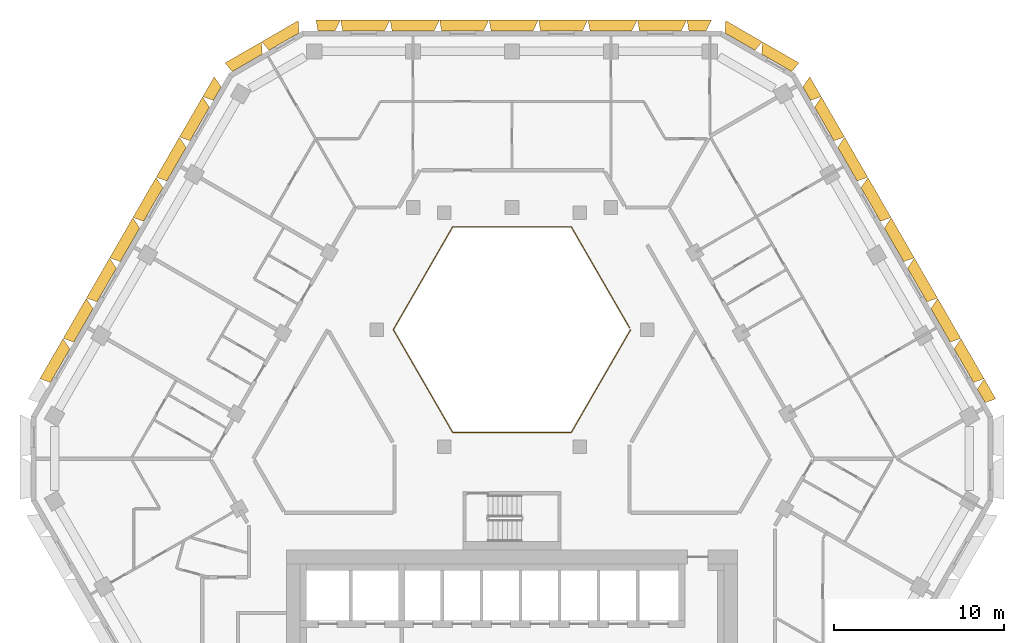
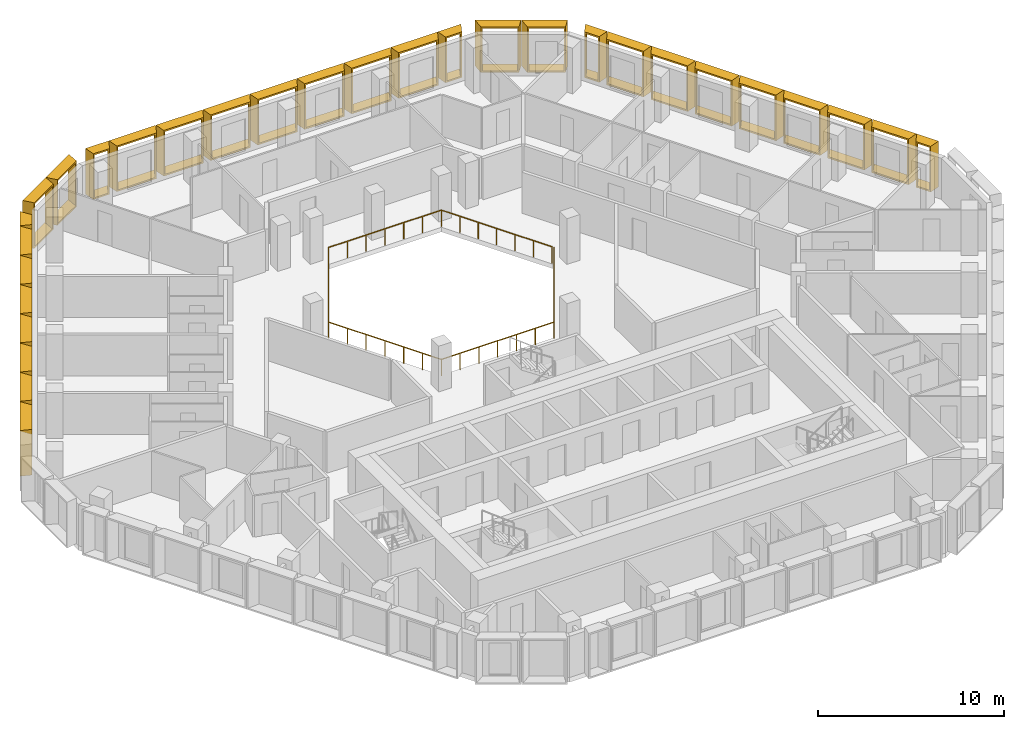
# One storey, part 15 of 15: 30 shading devices, 1 railing.
"""IFC4 building model written with IfcOpenShell, lengths in metres."""

from ifc_helpers import new_model, entity, si_unit, direction, frame, origin, origin_2d, place, context, subcontext, project, spatial, rectangle, extrude, source, transform, mapped, material, type_object, type_shapes, element, save


model = new_model("IFC4")

# Units and contexts
model_context = context("Model", 3, precision=1e-05, world=origin(), true_north=direction((0.0, 1.0)))
body_context = subcontext(model_context, "Body", "Model", "MODEL_VIEW")
ifc_project = project(units=[si_unit("LENGTHUNIT", "METRE"), si_unit("AREAUNIT", "SQUARE_METRE"), si_unit("VOLUMEUNIT", "CUBIC_METRE"), si_unit("PLANEANGLEUNIT", "RADIAN"), si_unit("MASSUNIT", "GRAM", prefix="KILO")], contexts=[model_context])

# Site, building, storey
site_placement = place(None, origin())
site = spatial("IfcSite", under=ifc_project, at=site_placement, CompositionType="ELEMENT")
building_placement = place(site_placement, origin())
building = spatial("IfcBuilding", under=site, at=building_placement, Name="Beryl Residences", CompositionType="ELEMENT")
storey_placement = place(building_placement, frame((0.0, 0.0, 147.60009765625)))
storey = spatial("IfcBuildingStorey", under=building, at=storey_placement, Name="L45", CompositionType="ELEMENT", Elevation=147.60009765625)

# Railing
ifc_material_1 = material(Name="Stainless steel balustrade with glass infill", Category="steel")
railing_type = type_object("IfcRailingType", Name="EG1 edge guard 1100 mm", PredefinedType="GUARDRAIL", material=ifc_material_1)
railing_placement = place(storey_placement, frame((6.9970703125, 8.0, 0.0)))
element("IfcRailing", 1, at=railing_placement, inside=storey, type_object=railing_type, Name="L45 atrium guard", PredefinedType="GUARDRAIL", context=body_context, shape_type="SweptSolid", body=[
    extrude(rectangle(XDim=0.048095703125, YDim=0.048095703125, at=origin_2d()), frame((0.0, 0.0, 1.076171875), z_axis=(-0.499921796684, -0.866070549782, 0.0), x_axis=(0.866070549782, -0.499921796684, 0.0)), (0.0, 0.0, 1.0), 6.9970703125),
    extrude(rectangle(XDim=0.048095703125, YDim=0.048095703125, at=origin_2d()), frame((-3.498046875, -6.06005859375, 1.076171875), z_axis=(-1.0, 0.0, 0.0), x_axis=(0.0, -1.0, 0.0)), (0.0, 0.0, 1.0), 6.998046875),
    extrude(rectangle(XDim=0.048095703125, YDim=0.048095703125, at=origin_2d()), frame((-10.49609375, -6.06005859375, 1.076171875), z_axis=(-0.499921796684, 0.866070549782, 0.0), x_axis=(-0.866070549782, -0.499921796684, 0.0)), (0.0, 0.0, 1.0), 6.9970703125),
    extrude(rectangle(XDim=0.048095703125, YDim=0.048095703125, at=origin_2d()), frame((-13.994140625, 0.0, 1.076171875), z_axis=(0.499921796684, 0.866070549782, 0.0), x_axis=(-0.866070549782, 0.499921796684, 0.0)), (0.0, 0.0, 1.0), 6.9970703125),
    extrude(rectangle(XDim=0.048095703125, YDim=0.048095703125, at=origin_2d()), frame((-10.49609375, 6.06005859375, 1.076171875), z_axis=(1.0, 0.0, 0.0), x_axis=(0.0, 1.0, 0.0)), (0.0, 0.0, 1.0), 6.998046875),
    extrude(rectangle(XDim=0.048095703125, YDim=0.048095703125, at=origin_2d()), frame((-3.498046875, 6.06005859375, 1.076171875), z_axis=(0.499919131929, -0.866072087953, 0.0), x_axis=(0.866072087953, 0.499919131929, 0.0)), (0.0, 0.0, 1.0), 6.877197265625),
    extrude(rectangle(XDim=0.0419921875, YDim=0.0419921875, at=origin_2d()), origin(), (0.0, 0.0, 1.0), 1.052001953125),
    extrude(rectangle(XDim=0.0419921875, YDim=0.0419921875, at=origin_2d()), frame((-0.5830078125, -1.010009765625, 0.0)), (0.0, 0.0, 1.0), 1.052001953125),
    extrude(rectangle(XDim=0.0419921875, YDim=0.0419921875, at=origin_2d()), frame((-1.166015625, -2.02001953125, 0.0)), (0.0, 0.0, 1.0), 1.052001953125),
    extrude(rectangle(XDim=0.0419921875, YDim=0.0419921875, at=origin_2d()), frame((-1.7490234375, -3.030029296875, 0.0)), (0.0, 0.0, 1.0), 1.052001953125),
    extrude(rectangle(XDim=0.0419921875, YDim=0.0419921875, at=origin_2d()), frame((-2.33203125, -4.0400390625, 0.0)), (0.0, 0.0, 1.0), 1.052001953125),
    extrude(rectangle(XDim=0.0419921875, YDim=0.0419921875, at=origin_2d()), frame((-2.9150390625, -5.050048828125, 0.0)), (0.0, 0.0, 1.0), 1.052001953125),
    extrude(rectangle(XDim=0.0419921875, YDim=0.0419921875, at=origin_2d()), frame((-3.498046875, -6.06005859375, 0.0)), (0.0, 0.0, 1.0), 1.052001953125),
    extrude(rectangle(XDim=0.0419921875, YDim=0.0419921875, at=origin_2d()), frame((-4.664306640625, -6.06005859375, 0.0)), (0.0, 0.0, 1.0), 1.052001953125),
    extrude(rectangle(XDim=0.0419921875, YDim=0.0419921875, at=origin_2d()), frame((-5.830810546875, -6.06005859375, 0.0)), (0.0, 0.0, 1.0), 1.052001953125),
    extrude(rectangle(XDim=0.0419921875, YDim=0.0419921875, at=origin_2d()), frame((-6.9970703125, -6.06005859375, 0.0)), (0.0, 0.0, 1.0), 1.052001953125),
    extrude(rectangle(XDim=0.0419921875, YDim=0.0419921875, at=origin_2d()), frame((-8.163330078125, -6.06005859375, 0.0)), (0.0, 0.0, 1.0), 1.052001953125),
    extrude(rectangle(XDim=0.0419921875, YDim=0.0419921875, at=origin_2d()), frame((-9.329833984375, -6.06005859375, 0.0)), (0.0, 0.0, 1.0), 1.052001953125),
    extrude(rectangle(XDim=0.0419921875, YDim=0.0419921875, at=origin_2d()), frame((-10.49609375, -6.06005859375, 0.0)), (0.0, 0.0, 1.0), 1.052001953125),
    extrude(rectangle(XDim=0.0419921875, YDim=0.0419921875, at=origin_2d()), frame((-11.0791015625, -5.050048828125, 0.0)), (0.0, 0.0, 1.0), 1.052001953125),
    extrude(rectangle(XDim=0.0419921875, YDim=0.0419921875, at=origin_2d()), frame((-11.662109375, -4.0400390625, 0.0)), (0.0, 0.0, 1.0), 1.052001953125),
    extrude(rectangle(XDim=0.0419921875, YDim=0.0419921875, at=origin_2d()), frame((-12.2451171875, -3.030029296875, 0.0)), (0.0, 0.0, 1.0), 1.052001953125),
    extrude(rectangle(XDim=0.0419921875, YDim=0.0419921875, at=origin_2d()), frame((-12.828125, -2.02001953125, 0.0)), (0.0, 0.0, 1.0), 1.052001953125),
    extrude(rectangle(XDim=0.0419921875, YDim=0.0419921875, at=origin_2d()), frame((-13.4111328125, -1.010009765625, 0.0)), (0.0, 0.0, 1.0), 1.052001953125),
    extrude(rectangle(XDim=0.0419921875, YDim=0.0419921875, at=origin_2d()), frame((-13.994140625, 0.0, 0.0)), (0.0, 0.0, 1.0), 1.052001953125),
    extrude(rectangle(XDim=0.0419921875, YDim=0.0419921875, at=origin_2d()), frame((-13.4111328125, 1.010009765625, 0.0)), (0.0, 0.0, 1.0), 1.052001953125),
    extrude(rectangle(XDim=0.0419921875, YDim=0.0419921875, at=origin_2d()), frame((-12.828125, 2.02001953125, 0.0)), (0.0, 0.0, 1.0), 1.052001953125),
    extrude(rectangle(XDim=0.0419921875, YDim=0.0419921875, at=origin_2d()), frame((-12.2451171875, 3.030029296875, 0.0)), (0.0, 0.0, 1.0), 1.052001953125),
    extrude(rectangle(XDim=0.0419921875, YDim=0.0419921875, at=origin_2d()), frame((-11.662109375, 4.0400390625, 0.0)), (0.0, 0.0, 1.0), 1.052001953125),
    extrude(rectangle(XDim=0.0419921875, YDim=0.0419921875, at=origin_2d()), frame((-11.0791015625, 5.050048828125, 0.0)), (0.0, 0.0, 1.0), 1.052001953125),
    extrude(rectangle(XDim=0.0419921875, YDim=0.0419921875, at=origin_2d()), frame((-10.49609375, 6.06005859375, 0.0)), (0.0, 0.0, 1.0), 1.052001953125),
    extrude(rectangle(XDim=0.0419921875, YDim=0.0419921875, at=origin_2d()), frame((-9.329833984375, 6.06005859375, 0.0)), (0.0, 0.0, 1.0), 1.052001953125),
    extrude(rectangle(XDim=0.0419921875, YDim=0.0419921875, at=origin_2d()), frame((-8.163330078125, 6.06005859375, 0.0)), (0.0, 0.0, 1.0), 1.052001953125),
    extrude(rectangle(XDim=0.0419921875, YDim=0.0419921875, at=origin_2d()), frame((-6.9970703125, 6.06005859375, 0.0)), (0.0, 0.0, 1.0), 1.052001953125),
    extrude(rectangle(XDim=0.0419921875, YDim=0.0419921875, at=origin_2d()), frame((-5.830810546875, 6.06005859375, 0.0)), (0.0, 0.0, 1.0), 1.052001953125),
    extrude(rectangle(XDim=0.0419921875, YDim=0.0419921875, at=origin_2d()), frame((-4.664306640625, 6.06005859375, 0.0)), (0.0, 0.0, 1.0), 1.052001953125),
    extrude(rectangle(XDim=0.0419921875, YDim=0.0419921875, at=origin_2d()), frame((-3.498046875, 6.06005859375, 0.0)), (0.0, 0.0, 1.0), 1.052001953125),
    extrude(rectangle(XDim=0.0419921875, YDim=0.0419921875, at=origin_2d()), frame((-2.925048828125, 5.0673828125, 0.0)), (0.0, 0.0, 1.0), 1.052001953125),
    extrude(rectangle(XDim=0.0419921875, YDim=0.0419921875, at=origin_2d()), frame((-2.35205078125, 4.07470703125, 0.0)), (0.0, 0.0, 1.0), 1.052001953125),
    extrude(rectangle(XDim=0.0419921875, YDim=0.0419921875, at=origin_2d()), frame((-1.779052734375, 3.08203125, 0.0)), (0.0, 0.0, 1.0), 1.052001953125),
    extrude(rectangle(XDim=0.0419921875, YDim=0.0419921875, at=origin_2d()), frame((-1.2060546875, 2.08935546875, 0.0)), (0.0, 0.0, 1.0), 1.052001953125),
    extrude(rectangle(XDim=0.0419921875, YDim=0.0419921875, at=origin_2d()), frame((-0.633056640625, 1.0966796875, 0.0)), (0.0, 0.0, 1.0), 1.052001953125),
    extrude(rectangle(XDim=0.0419921875, YDim=0.0419921875, at=origin_2d()), frame((-0.06005859375, 0.10400390625, 0.0)), (0.0, 0.0, 1.0), 1.052001953125),
])

# Shading devices
ifc_material_2 = material(Name="Aluminium pale anodised", Category="aluminium")
shading_device_type_1 = type_object("IfcShadingDeviceType", Name="FR137-65B OUTER SKIN frame 650 mm deep, splay 26/10 deg, 1370 x 3000 mm cell", PredefinedType="USERDEFINED", material=ifc_material_2)
cartesian_point_1 = entity("IfcCartesianPoint", [-0.458984375, 0.0])
cartesian_point_2 = entity("IfcCartesianPoint", [-0.369873046875, 0.10009765625])
cartesian_point_3 = entity("IfcCartesianPoint", [-0.776123046875, 0.0])
cartesian_point_4 = entity("IfcCartesianPoint", [-0.68701171875, 0.10009765625])
shared_shape_1 = source(origin(), body_context, "Body", "SweptSolid", [
    entity("IfcExtrudedAreaSolidTapered", entity("IfcArbitraryProfileDefWithVoids", "AREA", None, entity("IfcPolyline", [cartesian_point_1, entity("IfcCartesianPoint", [0.458984375, 0.0]), entity("IfcCartesianPoint", [0.458984375, 3.0]), entity("IfcCartesianPoint", [-0.458984375, 3.0]), cartesian_point_1]), [entity("IfcPolyline", [cartesian_point_2, entity("IfcCartesianPoint", [0.377685546875, 0.10009765625]), entity("IfcCartesianPoint", [0.377685546875, 2.89990234375]), entity("IfcCartesianPoint", [-0.369873046875, 2.89990234375]), cartesian_point_2])]), entity("IfcAxis2Placement3D", entity("IfcCartesianPoint", [0.0, 0.0, 0.0]), entity("IfcDirection", [0.0, 1.0, 0.0]), entity("IfcDirection", [-1.0, 0.0, 0.0])), entity("IfcDirection", [0.0, 0.0, 1.0]), 0.64990234375, entity("IfcArbitraryProfileDefWithVoids", "AREA", None, entity("IfcPolyline", [cartesian_point_3, entity("IfcCartesianPoint", [0.57373046875, 0.0]), entity("IfcCartesianPoint", [0.57373046875, 3.0]), entity("IfcCartesianPoint", [-0.776123046875, 3.0]), cartesian_point_3]), [entity("IfcPolyline", [cartesian_point_4, entity("IfcCartesianPoint", [0.492431640625, 0.10009765625]), entity("IfcCartesianPoint", [0.492431640625, 2.89990234375]), entity("IfcCartesianPoint", [-0.68701171875, 2.89990234375]), cartesian_point_4])])),
])
type_shapes(shading_device_type_1, [shared_shape_1])
shading_device_placement = place(storey_placement, frame((-17.375, 21.906982421875, 0.0), z_axis=(0.0, 0.0, 1.0), x_axis=(0.5, 0.866025403784, 0.0)))
element("IfcShadingDevice", 2, at=shading_device_placement, inside=storey, type_object=shading_device_type_1, Name="FR137-65B frame L45 NW 1", ObjectType="OUTER SKIN", PredefinedType="USERDEFINED", context=body_context, shape_type="MappedRepresentation", body=[
    mapped(shared_shape_1, transform((0.0, 0.0, 0.0))),
])
ifc_material_3 = material(Name="Aluminium pale anodised", Category="aluminium")
shading_device_type_2 = type_object("IfcShadingDeviceType", Name="FR137-65C OUTER SKIN frame 650 mm deep, splay 10/26 deg, 1370 x 3000 mm cell", PredefinedType="USERDEFINED", material=ifc_material_3)
cartesian_point_5 = entity("IfcCartesianPoint", [-0.458984375, 0.0])
cartesian_point_6 = entity("IfcCartesianPoint", [-0.377685546875, 0.10009765625])
cartesian_point_7 = entity("IfcCartesianPoint", [-0.57373046875, 0.0])
cartesian_point_8 = entity("IfcCartesianPoint", [-0.492431640625, 0.10009765625])
shared_shape_2 = source(origin(), body_context, "Body", "SweptSolid", [
    entity("IfcExtrudedAreaSolidTapered", entity("IfcArbitraryProfileDefWithVoids", "AREA", None, entity("IfcPolyline", [cartesian_point_5, entity("IfcCartesianPoint", [0.458984375, 0.0]), entity("IfcCartesianPoint", [0.458984375, 3.0]), entity("IfcCartesianPoint", [-0.458984375, 3.0]), cartesian_point_5]), [entity("IfcPolyline", [cartesian_point_6, entity("IfcCartesianPoint", [0.369873046875, 0.10009765625]), entity("IfcCartesianPoint", [0.369873046875, 2.89990234375]), entity("IfcCartesianPoint", [-0.377685546875, 2.89990234375]), cartesian_point_6])]), entity("IfcAxis2Placement3D", entity("IfcCartesianPoint", [0.0, 0.0, 0.0]), entity("IfcDirection", [0.0, 1.0, 0.0]), entity("IfcDirection", [-1.0, 0.0, 0.0])), entity("IfcDirection", [0.0, 0.0, 1.0]), 0.64990234375, entity("IfcArbitraryProfileDefWithVoids", "AREA", None, entity("IfcPolyline", [cartesian_point_7, entity("IfcCartesianPoint", [0.776123046875, 0.0]), entity("IfcCartesianPoint", [0.776123046875, 3.0]), entity("IfcCartesianPoint", [-0.57373046875, 3.0]), cartesian_point_7]), [entity("IfcPolyline", [cartesian_point_8, entity("IfcCartesianPoint", [0.68701171875, 0.10009765625]), entity("IfcCartesianPoint", [0.68701171875, 2.89990234375]), entity("IfcCartesianPoint", [-0.492431640625, 2.89990234375]), cartesian_point_8])])),
])
type_shapes(shading_device_type_2, [shared_shape_2])
for number, where, z_axis, x_axis, name in (
    (3, (27.658935546875, 4.093017578125, 0.0), (0.0, 0.0, 1.0), (0.5, -0.866025403784, 0.0), "FR137-65C frame L45 NE 1"),
    (4, (17.375, 21.906982421875, 0.0), (0.0, 0.0, 1.0), (0.5, -0.866025403784, 0.0), "FR137-65C frame L45 NE 9"),
):
    element("IfcShadingDevice", number, at=place(storey_placement, frame(where, z_axis=z_axis, x_axis=x_axis)), inside=storey, type_object=shading_device_type_2, Name=name, ObjectType="OUTER SKIN", PredefinedType="USERDEFINED", context=body_context, shape_type="MappedRepresentation", body=[
        mapped(shared_shape_2, transform((0.0, 0.0, 0.0))),
    ])
ifc_material_4 = material(Name="Aluminium pale anodised", Category="aluminium")
shading_device_type_3 = type_object("IfcShadingDeviceType", Name="FR146-65B OUTER SKIN frame 650 mm deep, splay 26/10 deg, 1460 x 3000 mm cell", PredefinedType="USERDEFINED", material=ifc_material_4)
cartesian_point_9 = entity("IfcCartesianPoint", [-0.50390625, 0.0])
cartesian_point_10 = entity("IfcCartesianPoint", [-0.4150390625, 0.10009765625])
cartesian_point_11 = entity("IfcCartesianPoint", [-0.821044921875, 0.0])
cartesian_point_12 = entity("IfcCartesianPoint", [-0.73193359375, 0.10009765625])
shared_shape_3 = source(origin(), body_context, "Body", "SweptSolid", [
    entity("IfcExtrudedAreaSolidTapered", entity("IfcArbitraryProfileDefWithVoids", "AREA", None, entity("IfcPolyline", [cartesian_point_9, entity("IfcCartesianPoint", [0.50390625, 0.0]), entity("IfcCartesianPoint", [0.50390625, 3.0]), entity("IfcCartesianPoint", [-0.50390625, 3.0]), cartesian_point_9]), [entity("IfcPolyline", [cartesian_point_10, entity("IfcCartesianPoint", [0.4228515625, 0.10009765625]), entity("IfcCartesianPoint", [0.4228515625, 2.89990234375]), entity("IfcCartesianPoint", [-0.4150390625, 2.89990234375]), cartesian_point_10])]), entity("IfcAxis2Placement3D", entity("IfcCartesianPoint", [0.0, 0.0, 0.0]), entity("IfcDirection", [0.0, 1.0, 0.0]), entity("IfcDirection", [-1.0, 0.0, 0.0])), entity("IfcDirection", [0.0, 0.0, 1.0]), 0.64990234375, entity("IfcArbitraryProfileDefWithVoids", "AREA", None, entity("IfcPolyline", [cartesian_point_11, entity("IfcCartesianPoint", [0.61865234375, 0.0]), entity("IfcCartesianPoint", [0.61865234375, 3.0]), entity("IfcCartesianPoint", [-0.821044921875, 3.0]), cartesian_point_11]), [entity("IfcPolyline", [cartesian_point_12, entity("IfcCartesianPoint", [0.537353515625, 0.10009765625]), entity("IfcCartesianPoint", [0.537353515625, 2.89990234375]), entity("IfcCartesianPoint", [-0.73193359375, 2.89990234375]), cartesian_point_12])])),
])
type_shapes(shading_device_type_3, [shared_shape_3])
for number, where, z_axis, x_axis, name in (
    (5, (10.93310546875, 25.60009765625, 0.0), (0.0, 0.0, 1.0), (1.0, 0.0, 0.0), "FR146-65B frame L45 N 1"),
    (6, (-10.93310546875, 25.60009765625, 0.0), (0.0, 0.0, 1.0), (1.0, 0.0, 0.0), "FR146-65B frame L45 N 9"),
):
    element("IfcShadingDevice", number, at=place(storey_placement, frame(where, z_axis=z_axis, x_axis=x_axis)), inside=storey, type_object=shading_device_type_3, Name=name, ObjectType="OUTER SKIN", PredefinedType="USERDEFINED", context=body_context, shape_type="MappedRepresentation", body=[
        mapped(shared_shape_3, transform((0.0, 0.0, 0.0))),
    ])
ifc_material_5 = material(Name="Aluminium pale anodised", Category="aluminium")
shading_device_type_4 = type_object("IfcShadingDeviceType", Name="FR250-65B OUTER SKIN frame 650 mm deep, splay 26/10 deg, 2500 x 3000 mm cell", PredefinedType="USERDEFINED", material=ifc_material_5)
cartesian_point_13 = entity("IfcCartesianPoint", [-1.02392578125, 0.0])
cartesian_point_14 = entity("IfcCartesianPoint", [-0.93505859375, 0.10009765625])
cartesian_point_15 = entity("IfcCartesianPoint", [-1.341064453125, 0.0])
cartesian_point_16 = entity("IfcCartesianPoint", [-1.251953125, 0.10009765625])
shared_shape_4 = source(origin(), body_context, "Body", "SweptSolid", [
    entity("IfcExtrudedAreaSolidTapered", entity("IfcArbitraryProfileDefWithVoids", "AREA", None, entity("IfcPolyline", [cartesian_point_13, entity("IfcCartesianPoint", [1.02392578125, 0.0]), entity("IfcCartesianPoint", [1.02392578125, 3.0]), entity("IfcCartesianPoint", [-1.02392578125, 3.0]), cartesian_point_13]), [entity("IfcPolyline", [cartesian_point_14, entity("IfcCartesianPoint", [0.94287109375, 0.10009765625]), entity("IfcCartesianPoint", [0.94287109375, 2.89990234375]), entity("IfcCartesianPoint", [-0.93505859375, 2.89990234375]), cartesian_point_14])]), entity("IfcAxis2Placement3D", entity("IfcCartesianPoint", [0.0, 0.0, 0.0]), entity("IfcDirection", [0.0, 1.0, 0.0]), entity("IfcDirection", [-1.0, 0.0, 0.0])), entity("IfcDirection", [0.0, 0.0, 1.0]), 0.64990234375, entity("IfcArbitraryProfileDefWithVoids", "AREA", None, entity("IfcPolyline", [cartesian_point_15, entity("IfcCartesianPoint", [1.138671875, 0.0]), entity("IfcCartesianPoint", [1.138671875, 3.0]), entity("IfcCartesianPoint", [-1.341064453125, 3.0]), cartesian_point_15]), [entity("IfcPolyline", [cartesian_point_16, entity("IfcCartesianPoint", [1.057373046875, 0.10009765625]), entity("IfcCartesianPoint", [1.057373046875, 2.89990234375]), entity("IfcCartesianPoint", [-1.251953125, 2.89990234375]), cartesian_point_16])])),
])
type_shapes(shading_device_type_4, [shared_shape_4])
for number, where, z_axis, x_axis, name in (
    (7, (-13.43798828125, 24.97509765625, 0.0), (0.0, 0.0, 1.0), (0.866025403784, 0.5, 0.0), "FR250-65B frame L45 N-NW 1"),
    (8, (-15.60205078125, 23.72509765625, 0.0), (0.0, 0.0, 1.0), (0.866025403784, 0.5, 0.0), "FR250-65B frame L45 N-NW 2"),
):
    element("IfcShadingDevice", number, at=place(storey_placement, frame(where, z_axis=z_axis, x_axis=x_axis)), inside=storey, type_object=shading_device_type_4, Name=name, ObjectType="OUTER SKIN", PredefinedType="USERDEFINED", context=body_context, shape_type="MappedRepresentation", body=[
        mapped(shared_shape_4, transform((0.0, 0.0, 0.0))),
    ])
ifc_material_6 = material(Name="Aluminium pale anodised", Category="aluminium")
shading_device_type_5 = type_object("IfcShadingDeviceType", Name="FR250-65C OUTER SKIN frame 650 mm deep, splay 10/26 deg, 2500 x 3000 mm cell", PredefinedType="USERDEFINED", material=ifc_material_6)
cartesian_point_17 = entity("IfcCartesianPoint", [-1.02392578125, 0.0])
cartesian_point_18 = entity("IfcCartesianPoint", [-0.94287109375, 0.10009765625])
cartesian_point_19 = entity("IfcCartesianPoint", [-1.138671875, 0.0])
cartesian_point_20 = entity("IfcCartesianPoint", [-1.057373046875, 0.10009765625])
shared_shape_5 = source(origin(), body_context, "Body", "SweptSolid", [
    entity("IfcExtrudedAreaSolidTapered", entity("IfcArbitraryProfileDefWithVoids", "AREA", None, entity("IfcPolyline", [cartesian_point_17, entity("IfcCartesianPoint", [1.02392578125, 0.0]), entity("IfcCartesianPoint", [1.02392578125, 3.0]), entity("IfcCartesianPoint", [-1.02392578125, 3.0]), cartesian_point_17]), [entity("IfcPolyline", [cartesian_point_18, entity("IfcCartesianPoint", [0.93505859375, 0.10009765625]), entity("IfcCartesianPoint", [0.93505859375, 2.89990234375]), entity("IfcCartesianPoint", [-0.94287109375, 2.89990234375]), cartesian_point_18])]), entity("IfcAxis2Placement3D", entity("IfcCartesianPoint", [0.0, 0.0, 0.0]), entity("IfcDirection", [0.0, 1.0, 0.0]), entity("IfcDirection", [-1.0, 0.0, 0.0])), entity("IfcDirection", [0.0, 0.0, 1.0]), 0.64990234375, entity("IfcArbitraryProfileDefWithVoids", "AREA", None, entity("IfcPolyline", [cartesian_point_19, entity("IfcCartesianPoint", [1.341064453125, 0.0]), entity("IfcCartesianPoint", [1.341064453125, 3.0]), entity("IfcCartesianPoint", [-1.138671875, 3.0]), cartesian_point_19]), [entity("IfcPolyline", [cartesian_point_20, entity("IfcCartesianPoint", [1.251953125, 0.10009765625]), entity("IfcCartesianPoint", [1.251953125, 2.89990234375]), entity("IfcCartesianPoint", [-1.057373046875, 2.89990234375]), cartesian_point_20])])),
])
type_shapes(shading_device_type_5, [shared_shape_5])
for number, where, z_axis, x_axis, name in (
    (9, (15.60205078125, 23.72509765625, 0.0), (0.0, 0.0, 1.0), (0.866025403784, -0.5, 0.0), "FR250-65C frame L45 NE-N 1"),
    (10, (13.43798828125, 24.97509765625, 0.0), (0.0, 0.0, 1.0), (0.866025403784, -0.5, 0.0), "FR250-65C frame L45 NE-N 2"),
):
    element("IfcShadingDevice", number, at=place(storey_placement, frame(where, z_axis=z_axis, x_axis=x_axis)), inside=storey, type_object=shading_device_type_5, Name=name, ObjectType="OUTER SKIN", PredefinedType="USERDEFINED", context=body_context, shape_type="MappedRepresentation", body=[
        mapped(shared_shape_5, transform((0.0, 0.0, 0.0))),
    ])
ifc_material_7 = material(Name="Aluminium pale anodised", Category="aluminium")
shading_device_type_6 = type_object("IfcShadingDeviceType", Name="FR274-65B OUTER SKIN frame 650 mm deep, splay 26/10 deg, 2740 x 3000 mm cell", PredefinedType="USERDEFINED", material=ifc_material_7)
cartesian_point_21 = entity("IfcCartesianPoint", [-1.14404296875, 0.0])
cartesian_point_22 = entity("IfcCartesianPoint", [-1.054931640625, 0.10009765625])
cartesian_point_23 = entity("IfcCartesianPoint", [-1.4609375, 0.0])
cartesian_point_24 = entity("IfcCartesianPoint", [-1.3720703125, 0.10009765625])
shared_shape_6 = source(origin(), body_context, "Body", "SweptSolid", [
    entity("IfcExtrudedAreaSolidTapered", entity("IfcArbitraryProfileDefWithVoids", "AREA", None, entity("IfcPolyline", [cartesian_point_21, entity("IfcCartesianPoint", [1.14404296875, 0.0]), entity("IfcCartesianPoint", [1.14404296875, 3.0]), entity("IfcCartesianPoint", [-1.14404296875, 3.0]), cartesian_point_21]), [entity("IfcPolyline", [cartesian_point_22, entity("IfcCartesianPoint", [1.062744140625, 0.10009765625]), entity("IfcCartesianPoint", [1.062744140625, 2.89990234375]), entity("IfcCartesianPoint", [-1.054931640625, 2.89990234375]), cartesian_point_22])]), entity("IfcAxis2Placement3D", entity("IfcCartesianPoint", [0.0, 0.0, 0.0]), entity("IfcDirection", [0.0, 1.0, 0.0]), entity("IfcDirection", [-1.0, 0.0, 0.0])), entity("IfcDirection", [0.0, 0.0, 1.0]), 0.64990234375, entity("IfcArbitraryProfileDefWithVoids", "AREA", None, entity("IfcPolyline", [cartesian_point_23, entity("IfcCartesianPoint", [1.258544921875, 0.0]), entity("IfcCartesianPoint", [1.258544921875, 3.0]), entity("IfcCartesianPoint", [-1.4609375, 3.0]), cartesian_point_23]), [entity("IfcPolyline", [cartesian_point_24, entity("IfcCartesianPoint", [1.177490234375, 0.10009765625]), entity("IfcCartesianPoint", [1.177490234375, 2.89990234375]), entity("IfcCartesianPoint", [-1.3720703125, 2.89990234375]), cartesian_point_24])])),
])
type_shapes(shading_device_type_6, [shared_shape_6])
for number, where, z_axis, x_axis, name in (
    (11, (-18.403076171875, 20.125, 0.0), (0.0, 0.0, 1.0), (0.5, 0.866025403784, 0.0), "FR274-65B frame L45 NW 2"),
    (12, (-19.77490234375, 17.75, 0.0), (0.0, 0.0, 1.0), (0.5, 0.866025403784, 0.0), "FR274-65B frame L45 NW 3"),
    (13, (-21.14599609375, 15.375, 0.0), (0.0, 0.0, 1.0), (0.5, 0.866025403784, 0.0), "FR274-65B frame L45 NW 4"),
    (14, (-22.51708984375, 13.0, 0.0), (0.0, 0.0, 1.0), (0.5, 0.866025403784, 0.0), "FR274-65B frame L45 NW 5"),
    (15, (-23.887939453125, 10.625, 0.0), (0.0, 0.0, 1.0), (0.5, 0.866025403784, 0.0), "FR274-65B frame L45 NW 6"),
    (16, (-25.259033203125, 8.25, 0.0), (0.0, 0.0, 1.0), (0.5, 0.866025403784, 0.0), "FR274-65B frame L45 NW 7"),
    (17, (-26.631103515625, 5.875, 0.0), (0.0, 0.0, 1.0), (0.5, 0.866025403784, 0.0), "FR274-65B frame L45 NW 8"),
):
    element("IfcShadingDevice", number, at=place(storey_placement, frame(where, z_axis=z_axis, x_axis=x_axis)), inside=storey, type_object=shading_device_type_6, Name=name, ObjectType="OUTER SKIN", PredefinedType="USERDEFINED", context=body_context, shape_type="MappedRepresentation", body=[
        mapped(shared_shape_6, transform((0.0, 0.0, 0.0))),
    ])
ifc_material_8 = material(Name="Aluminium pale anodised", Category="aluminium")
shading_device_type_7 = type_object("IfcShadingDeviceType", Name="FR274-65C OUTER SKIN frame 650 mm deep, splay 10/26 deg, 2740 x 3000 mm cell", PredefinedType="USERDEFINED", material=ifc_material_8)
cartesian_point_25 = entity("IfcCartesianPoint", [-1.14404296875, 0.0])
cartesian_point_26 = entity("IfcCartesianPoint", [-1.062744140625, 0.10009765625])
cartesian_point_27 = entity("IfcCartesianPoint", [-1.258544921875, 0.0])
cartesian_point_28 = entity("IfcCartesianPoint", [-1.177490234375, 0.10009765625])
shared_shape_7 = source(origin(), body_context, "Body", "SweptSolid", [
    entity("IfcExtrudedAreaSolidTapered", entity("IfcArbitraryProfileDefWithVoids", "AREA", None, entity("IfcPolyline", [cartesian_point_25, entity("IfcCartesianPoint", [1.14404296875, 0.0]), entity("IfcCartesianPoint", [1.14404296875, 3.0]), entity("IfcCartesianPoint", [-1.14404296875, 3.0]), cartesian_point_25]), [entity("IfcPolyline", [cartesian_point_26, entity("IfcCartesianPoint", [1.054931640625, 0.10009765625]), entity("IfcCartesianPoint", [1.054931640625, 2.89990234375]), entity("IfcCartesianPoint", [-1.062744140625, 2.89990234375]), cartesian_point_26])]), entity("IfcAxis2Placement3D", entity("IfcCartesianPoint", [0.0, 0.0, 0.0]), entity("IfcDirection", [0.0, 1.0, 0.0]), entity("IfcDirection", [-1.0, 0.0, 0.0])), entity("IfcDirection", [0.0, 0.0, 1.0]), 0.64990234375, entity("IfcArbitraryProfileDefWithVoids", "AREA", None, entity("IfcPolyline", [cartesian_point_27, entity("IfcCartesianPoint", [1.4609375, 0.0]), entity("IfcCartesianPoint", [1.4609375, 3.0]), entity("IfcCartesianPoint", [-1.258544921875, 3.0]), cartesian_point_27]), [entity("IfcPolyline", [cartesian_point_28, entity("IfcCartesianPoint", [1.3720703125, 0.10009765625]), entity("IfcCartesianPoint", [1.3720703125, 2.89990234375]), entity("IfcCartesianPoint", [-1.177490234375, 2.89990234375]), cartesian_point_28])])),
])
type_shapes(shading_device_type_7, [shared_shape_7])
for number, where, z_axis, x_axis, name in (
    (18, (26.631103515625, 5.875, 0.0), (0.0, 0.0, 1.0), (0.5, -0.866025403784, 0.0), "FR274-65C frame L45 NE 2"),
    (19, (25.259033203125, 8.25, 0.0), (0.0, 0.0, 1.0), (0.5, -0.866025403784, 0.0), "FR274-65C frame L45 NE 3"),
    (20, (23.887939453125, 10.625, 0.0), (0.0, 0.0, 1.0), (0.5, -0.866025403784, 0.0), "FR274-65C frame L45 NE 4"),
    (21, (22.51708984375, 13.0, 0.0), (0.0, 0.0, 1.0), (0.5, -0.866025403784, 0.0), "FR274-65C frame L45 NE 5"),
    (22, (21.14599609375, 15.375, 0.0), (0.0, 0.0, 1.0), (0.5, -0.866025403784, 0.0), "FR274-65C frame L45 NE 6"),
    (23, (19.77490234375, 17.75, 0.0), (0.0, 0.0, 1.0), (0.5, -0.866025403784, 0.0), "FR274-65C frame L45 NE 7"),
    (24, (18.403076171875, 20.125, 0.0), (0.0, 0.0, 1.0), (0.5, -0.866025403784, 0.0), "FR274-65C frame L45 NE 8"),
):
    element("IfcShadingDevice", number, at=place(storey_placement, frame(where, z_axis=z_axis, x_axis=x_axis)), inside=storey, type_object=shading_device_type_7, Name=name, ObjectType="OUTER SKIN", PredefinedType="USERDEFINED", context=body_context, shape_type="MappedRepresentation", body=[
        mapped(shared_shape_7, transform((0.0, 0.0, 0.0))),
    ])
ifc_material_9 = material(Name="Aluminium pale anodised", Category="aluminium")
shading_device_type_8 = type_object("IfcShadingDeviceType", Name="FR292-65B OUTER SKIN frame 650 mm deep, splay 26/10 deg, 2920 x 3000 mm cell", PredefinedType="USERDEFINED", material=ifc_material_9)
cartesian_point_29 = entity("IfcCartesianPoint", [-1.23388671875, 0.0])
cartesian_point_30 = entity("IfcCartesianPoint", [-1.14501953125, 0.10009765625])
cartesian_point_31 = entity("IfcCartesianPoint", [-1.551025390625, 0.0])
cartesian_point_32 = entity("IfcCartesianPoint", [-1.4619140625, 0.10009765625])
shared_shape_8 = source(origin(), body_context, "Body", "SweptSolid", [
    entity("IfcExtrudedAreaSolidTapered", entity("IfcArbitraryProfileDefWithVoids", "AREA", None, entity("IfcPolyline", [cartesian_point_29, entity("IfcCartesianPoint", [1.23388671875, 0.0]), entity("IfcCartesianPoint", [1.23388671875, 3.0]), entity("IfcCartesianPoint", [-1.23388671875, 3.0]), cartesian_point_29]), [entity("IfcPolyline", [cartesian_point_30, entity("IfcCartesianPoint", [1.15283203125, 0.10009765625]), entity("IfcCartesianPoint", [1.15283203125, 2.89990234375]), entity("IfcCartesianPoint", [-1.14501953125, 2.89990234375]), cartesian_point_30])]), entity("IfcAxis2Placement3D", entity("IfcCartesianPoint", [0.0, 0.0, 0.0]), entity("IfcDirection", [0.0, 1.0, 0.0]), entity("IfcDirection", [-1.0, 0.0, 0.0])), entity("IfcDirection", [0.0, 0.0, 1.0]), 0.64990234375, entity("IfcArbitraryProfileDefWithVoids", "AREA", None, entity("IfcPolyline", [cartesian_point_31, entity("IfcCartesianPoint", [1.3486328125, 0.0]), entity("IfcCartesianPoint", [1.3486328125, 3.0]), entity("IfcCartesianPoint", [-1.551025390625, 3.0]), cartesian_point_31]), [entity("IfcPolyline", [cartesian_point_32, entity("IfcCartesianPoint", [1.267333984375, 0.10009765625]), entity("IfcCartesianPoint", [1.267333984375, 2.89990234375]), entity("IfcCartesianPoint", [-1.4619140625, 2.89990234375]), cartesian_point_32])])),
])
type_shapes(shading_device_type_8, [shared_shape_8])
for number, where, z_axis, x_axis, name in (
    (25, (8.7470703125, 25.60009765625, 0.0), (0.0, 0.0, 1.0), (1.0, 0.0, 0.0), "FR292-65B frame L45 N 2"),
    (26, (5.8310546875, 25.60009765625, 0.0), (0.0, 0.0, 1.0), (1.0, 0.0, 0.0), "FR292-65B frame L45 N 3"),
    (27, (2.916015625, 25.60009765625, 0.0), (0.0, 0.0, 1.0), (1.0, 0.0, 0.0), "FR292-65B frame L45 N 4"),
    (28, (0.0, 25.60009765625, 0.0), (0.0, 0.0, 1.0), (1.0, 0.0, 0.0), "FR292-65B frame L45 N 5"),
    (29, (-2.916015625, 25.60009765625, 0.0), (0.0, 0.0, 1.0), (1.0, 0.0, 0.0), "FR292-65B frame L45 N 6"),
    (30, (-5.8310546875, 25.60009765625, 0.0), (0.0, 0.0, 1.0), (1.0, 0.0, 0.0), "FR292-65B frame L45 N 7"),
    (31, (-8.7470703125, 25.60009765625, 0.0), (0.0, 0.0, 1.0), (1.0, 0.0, 0.0), "FR292-65B frame L45 N 8"),
):
    element("IfcShadingDevice", number, at=place(storey_placement, frame(where, z_axis=z_axis, x_axis=x_axis)), inside=storey, type_object=shading_device_type_8, Name=name, ObjectType="OUTER SKIN", PredefinedType="USERDEFINED", context=body_context, shape_type="MappedRepresentation", body=[
        mapped(shared_shape_8, transform((0.0, 0.0, 0.0))),
    ])

save(model, "model.ifc")
